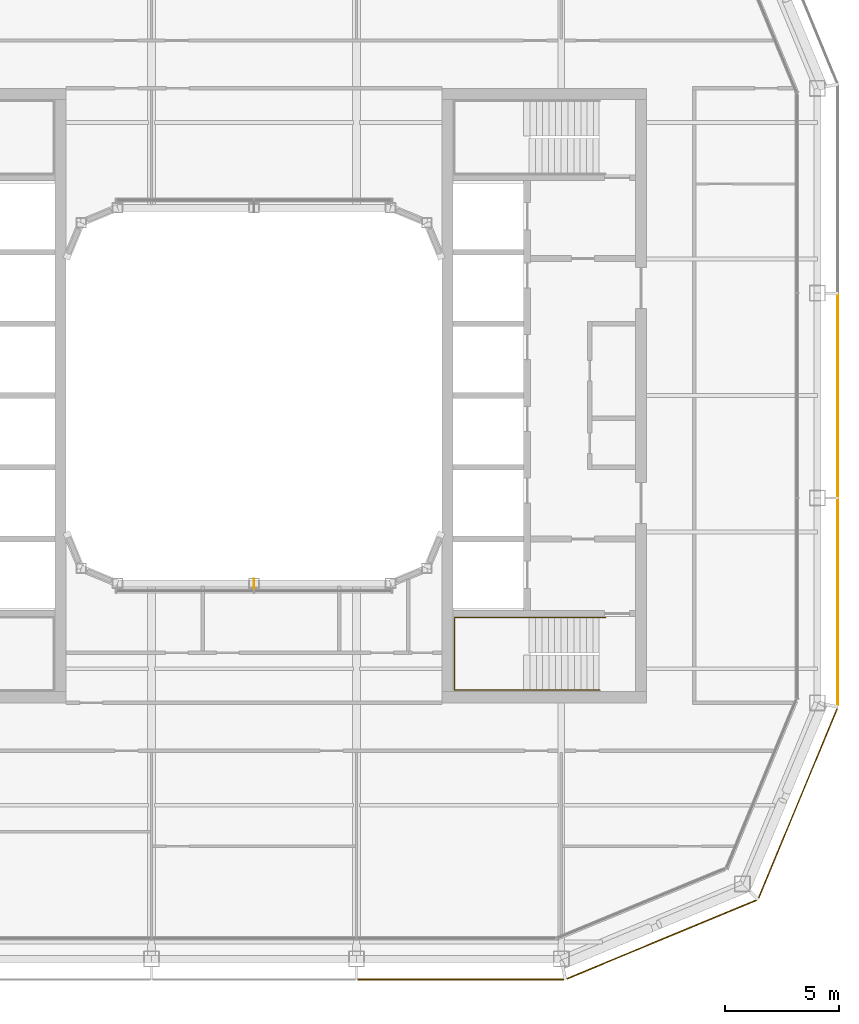
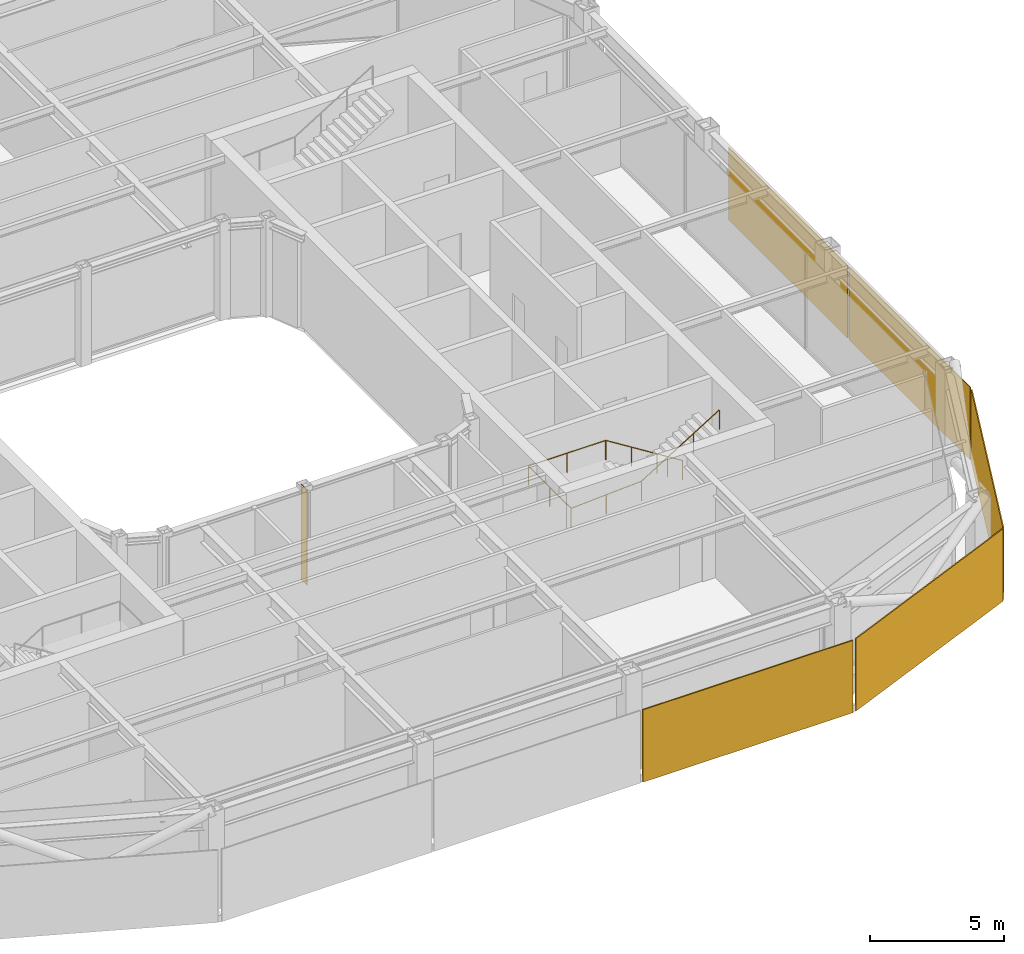
# One storey, part 19 of 22: 5 coverings, 1 railing, 1 shading device.
"""IFC4 building model written with IfcOpenShell, lengths in metres."""

from ifc_helpers import new_model, si_unit, direction, frame, origin, origin_2d, place, context, subcontext, project, spatial, rectangle, circle, extrude, material, layer, layer_set, type_object, element, save


model = new_model("IFC4")

# Units and contexts
model_context = context("Model", 3, precision=1e-05, world=origin(), true_north=direction((0.0, 1.0)))
body_context = subcontext(model_context, "Body", "Model", "MODEL_VIEW")
ifc_project = project(units=[si_unit("LENGTHUNIT", "METRE"), si_unit("AREAUNIT", "SQUARE_METRE"), si_unit("VOLUMEUNIT", "CUBIC_METRE"), si_unit("PLANEANGLEUNIT", "RADIAN"), si_unit("MASSUNIT", "GRAM", prefix="KILO")], contexts=[model_context])

# Site, building, storey
site_placement = place(None, origin())
site = spatial("IfcSite", under=ifc_project, at=site_placement, CompositionType="ELEMENT")
building_placement = place(site_placement, origin())
building = spatial("IfcBuilding", under=site, at=building_placement, Name="Siwar Civic Tower", CompositionType="ELEMENT")
storey_placement = place(building_placement, frame((0.0, 0.0, 330.199951171875)))
storey = spatial("IfcBuildingStorey", under=building, at=storey_placement, Name="L71", CompositionType="ELEMENT", Elevation=330.199951171875)

# Railing
ifc_material_1 = material(Name="Stainless steel", Category="steel")
railing_type = type_object("IfcRailingType", Name="CORE-STAIR-HANDRAIL", PredefinedType="HANDRAIL", material=ifc_material_1)
railing_placement = place(storey_placement, frame((15.449951171875, -9.758056640625, 0.173095703125)))
element("IfcRailing", 1, at=railing_placement, inside=storey, type_object=railing_type, Name="Stair handrail ST4", PredefinedType="HANDRAIL", context=body_context, shape_type="SweptSolid", body=[
    extrude(circle(Radius=0.02001953125, at=origin_2d()), frame((0.0, 0.0, 0.8798828125), z_axis=(-0.847063342986, 0.0, 0.531491950051), x_axis=(0.0, -1.0, 0.0)), (0.0, 0.0, 1.0), 3.90771484375),
    extrude(circle(Radius=0.02001953125, at=origin_2d()), frame((-3.31005859375, 0.0, 2.956787109375), z_axis=(-1.0, 0.0, 0.0), x_axis=(0.0, -1.0, 0.0)), (0.0, 0.0, 1.0), 3.331787109375),
    extrude(circle(Radius=0.02001953125, at=origin_2d()), frame((-6.641845703125, 0.0, 2.956787109375), z_axis=(0.0, -1.0, 0.0), x_axis=(1.0, 0.0, 0.0)), (0.0, 0.0, 1.0), 3.183837890625),
    extrude(circle(Radius=0.02001953125, at=origin_2d()), frame((-6.641845703125, -3.183837890625, 2.956787109375), z_axis=(0.99837434197, 0.0, 0.056997134106), x_axis=(0.0, 1.0, 0.0)), (0.0, 0.0, 1.0), 3.036865234375),
    extrude(circle(Radius=0.02001953125, at=origin_2d()), frame((-3.60986328125, -3.183837890625, 3.1298828125), z_axis=(0.850606129759, 0.0, 0.525803396734), x_axis=(0.0, 1.0, 0.0)), (0.0, 0.0, 1.0), 3.949951171875),
    extrude(circle(Radius=0.02001953125, at=origin_2d()), origin(), (0.0, 0.0, 1.0), 0.85986328125),
    extrude(circle(Radius=0.02001953125, at=origin_2d()), frame((-1.103271484375, 0.0, 0.6923828125)), (0.0, 0.0, 1.0), 0.85986328125),
    extrude(circle(Radius=0.02001953125, at=origin_2d()), frame((-2.206787109375, 0.0, 1.384521484375)), (0.0, 0.0, 1.0), 0.85986328125),
    extrude(circle(Radius=0.02001953125, at=origin_2d()), frame((-3.31005859375, 0.0, 2.076904296875)), (0.0, 0.0, 1.0), 0.85986328125),
    extrude(circle(Radius=0.02001953125, at=origin_2d()), frame((-4.97607421875, 0.0, 2.076904296875)), (0.0, 0.0, 1.0), 0.85986328125),
    extrude(circle(Radius=0.02001953125, at=origin_2d()), frame((-6.641845703125, 0.0, 2.076904296875)), (0.0, 0.0, 1.0), 0.85986328125),
    extrude(circle(Radius=0.02001953125, at=origin_2d()), frame((-6.641845703125, -1.591796875, 2.076904296875)), (0.0, 0.0, 1.0), 0.85986328125),
    extrude(circle(Radius=0.02001953125, at=origin_2d()), frame((-6.641845703125, -3.183837890625, 2.076904296875)), (0.0, 0.0, 1.0), 0.85986328125),
    extrude(circle(Radius=0.02001953125, at=origin_2d()), frame((-5.1259765625, -3.183837890625, 2.16357421875)), (0.0, 0.0, 1.0), 0.85986328125),
    extrude(circle(Radius=0.02001953125, at=origin_2d()), frame((-3.60986328125, -3.183837890625, 2.25)), (0.0, 0.0, 1.0), 0.85986328125),
    extrude(circle(Radius=0.02001953125, at=origin_2d()), frame((-2.489990234375, -3.183837890625, 2.9423828125)), (0.0, 0.0, 1.0), 0.85986328125),
    extrude(circle(Radius=0.02001953125, at=origin_2d()), frame((-1.369873046875, -3.183837890625, 3.634521484375)), (0.0, 0.0, 1.0), 0.85986328125),
    extrude(circle(Radius=0.02001953125, at=origin_2d()), frame((-0.25, -3.183837890625, 4.326904296875)), (0.0, 0.0, 1.0), 0.85986328125),
])

# Shading device
ifc_material_2 = material(Name="Aluminium 6063-T6", Category="aluminium")
ifc_layer_1 = layer(ifc_material_2, 0.02001953125)
ifc_layer_set_1 = layer_set([ifc_layer_1], Name="Aluminium 6063-T6")
shading_device_type = type_object("IfcShadingDeviceType", Name="ENV-FIN", PredefinedType="JALOUSIE", material=ifc_layer_set_1)
shading_device_placement = place(storey_placement, frame((0.0, -8.27001953125, 0.0), z_axis=(0.0, 0.0, 1.0), x_axis=(1.0, 0.0, 0.0)))
element("IfcShadingDevice", 2, at=shading_device_placement, inside=storey, type_object=shading_device_type, Name="SUNSHADE fin WS 1", PredefinedType="JALOUSIE", context=body_context, shape_type="SweptSolid", body=[
    extrude(rectangle(XDim=0.02001953125, YDim=0.449951171875, at=origin_2d()), origin(), (0.0, 0.0, 1.0), 4.35009765625),
])

# Coverings
ifc_material_3 = material(Name="Perforated aluminium cassette, pale metal", Category="aluminium")
ifc_layer_2 = layer(ifc_material_3, 0.0400390625)
ifc_layer_set_2 = layer_set([ifc_layer_2], Name="Perforated aluminium cassette, pale metal")
covering_type_1 = type_object("IfcCoveringType", Name="ENV-OUTER SKIN OS-1", PredefinedType="CLADDING", material=ifc_layer_set_2)
covering_1_placement = place(storey_placement, frame((25.64990234375, -9.07958984375, -0.14990234375), z_axis=(0.0, 0.0, 1.0), x_axis=(0.0, 1.0, 0.0)))
element("IfcCovering", 3, at=covering_1_placement, inside=storey, type_object=covering_type_1, Name="OUTER SKIN OS-1 E 1", PredefinedType="CLADDING", context=body_context, shape_type="SweptSolid", body=[
    extrude(rectangle(XDim=9.05908203125, YDim=0.0400390625, at=origin_2d()), origin(), (0.0, 0.0, 1.0), 3.300048828125),
])
covering_2_placement = place(storey_placement, frame((25.64990234375, 0.0, -0.14990234375), z_axis=(0.0, 0.0, 1.0), x_axis=(0.0, 1.0, 0.0)))
element("IfcCovering", 4, at=covering_2_placement, inside=storey, type_object=covering_type_1, Name="OUTER SKIN OS-1 E 2", PredefinedType="CLADDING", context=body_context, shape_type="SweptSolid", body=[
    extrude(rectangle(XDim=8.89990234375, YDim=0.0400390625, at=origin_2d()), origin(), (0.0, 0.0, 1.0), 3.300048828125),
])
ifc_material_4 = material(Name="Perforated aluminium cassette, pale metal", Category="aluminium")
ifc_layer_3 = layer(ifc_material_4, 0.044921875)
ifc_layer_set_3 = layer_set([ifc_layer_3], Name="Perforated aluminium cassette, pale metal")
covering_type_2 = type_object("IfcCoveringType", Name="ENV-OUTER SKIN OS-2", PredefinedType="CLADDING", material=ifc_layer_set_3)
covering_3_placement = place(storey_placement, frame((23.89697265625, -17.911376953125, -0.14990234375), z_axis=(0.0, 0.0, 1.0), x_axis=(0.382683432365, 0.923879532511, 0.0)))
element("IfcCovering", 5, at=covering_3_placement, inside=storey, type_object=covering_type_2, Name="OUTER SKIN OS-2 SE2 1", PredefinedType="CLADDING", context=body_context, shape_type="SweptSolid", body=[
    extrude(rectangle(XDim=9.022216796875, YDim=0.044921875, at=origin_2d()), origin(), (0.0, 0.0, 1.0), 3.300048828125),
])
ifc_material_5 = material(Name="Perforated aluminium cassette, pale metal", Category="aluminium")
ifc_layer_4 = layer(ifc_material_5, 0.050048828125)
ifc_layer_set_4 = layer_set([ifc_layer_4], Name="Perforated aluminium cassette, pale metal")
covering_type_3 = type_object("IfcCoveringType", Name="ENV-OUTER SKIN OS-3", PredefinedType="CLADDING", material=ifc_layer_set_4)
covering_4_placement = place(storey_placement, frame((17.911376953125, -23.89697265625, -0.14990234375), z_axis=(0.0, 0.0, 1.0), x_axis=(0.923879532511, 0.382683432365, 0.0)))
element("IfcCovering", 6, at=covering_4_placement, inside=storey, type_object=covering_type_3, Name="OUTER SKIN OS-3 SE1 1", PredefinedType="CLADDING", context=body_context, shape_type="SweptSolid", body=[
    extrude(rectangle(XDim=9.022216796875, YDim=0.050048828125, at=origin_2d()), origin(), (0.0, 0.0, 1.0), 3.300048828125),
])
ifc_material_6 = material(Name="Perforated aluminium cassette, pale metal", Category="aluminium")
ifc_layer_5 = layer(ifc_material_6, 0.054931640625)
ifc_layer_set_5 = layer_set([ifc_layer_5], Name="Perforated aluminium cassette, pale metal")
covering_type_4 = type_object("IfcCoveringType", Name="ENV-OUTER SKIN OS-4", PredefinedType="CLADDING", material=ifc_layer_set_5)
covering_5_placement = place(storey_placement, frame((9.07958984375, -25.64990234375, -0.14990234375), z_axis=(0.0, 0.0, 1.0), x_axis=(1.0, 0.0, 0.0)))
element("IfcCovering", 7, at=covering_5_placement, inside=storey, type_object=covering_type_4, Name="OUTER SKIN OS-4 S 3", PredefinedType="CLADDING", context=body_context, shape_type="SweptSolid", body=[
    extrude(rectangle(XDim=9.05908203125, YDim=0.054931640625, at=origin_2d()), origin(), (0.0, 0.0, 1.0), 3.300048828125),
])

save(model, "model.ifc")
